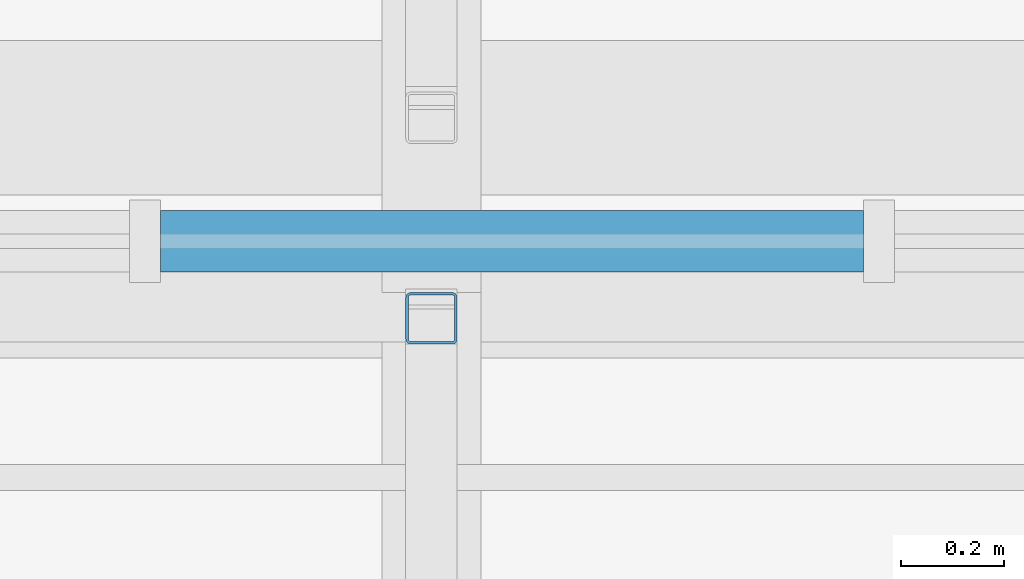
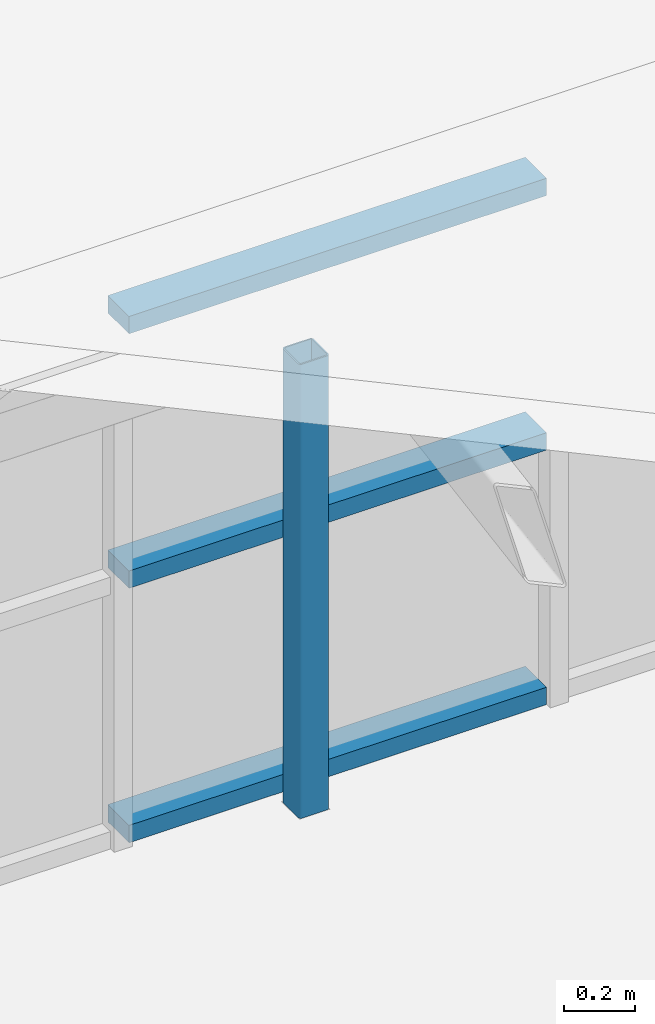
# One storey, part 10 of 33: 4 members, 1 element without a shape of its own.
"""IFC4 building model written with IfcOpenShell, lengths in metres."""

from ifc_helpers import new_model, si_unit, direction, frame, origin, origin_2d, place, context, subcontext, project, spatial, rectangle, hollow_rectangle, extrude, material, layer, layer_set, material_profile, profile_set, type_object, element, aggregate, save


model = new_model("IFC4")

# Units and contexts
model_context = context("Model", 3, precision=1e-05, world=origin(), true_north=direction((0.0, 1.0)))
body_context = subcontext(model_context, "Body", "Model", "MODEL_VIEW")
ifc_project = project(units=[si_unit("LENGTHUNIT", "METRE"), si_unit("AREAUNIT", "SQUARE_METRE"), si_unit("VOLUMEUNIT", "CUBIC_METRE"), si_unit("PLANEANGLEUNIT", "RADIAN"), si_unit("MASSUNIT", "GRAM", prefix="KILO")], contexts=[model_context])

# Site, building, storey
site_placement = place(None, origin())
site = spatial("IfcSite", under=ifc_project, at=site_placement, CompositionType="ELEMENT")
building_placement = place(site_placement, origin())
building = spatial("IfcBuilding", under=site, at=building_placement, Name="Ardhachandra Cancer Care Centre", CompositionType="ELEMENT")
storey_placement = place(building_placement, frame((0.0, 0.0, 27.0)))
storey = spatial("IfcBuildingStorey", under=building, at=storey_placement, Name="Roof", CompositionType="ELEMENT", Elevation=27.0)

# Curtain wall, members
ifc_material_1 = material(Name="Aluminium extrusion", Category="aluminium")
ifc_layer = layer(ifc_material_1, 0.14990234375)
ifc_layer_set = layer_set([ifc_layer], Name="Aluminium extrusion")
curtain_wall_type = type_object("IfcCurtainWallType", Name="Curtain wall run", PredefinedType="NOTDEFINED", material=ifc_layer_set)
curtain_wall_placement = place(storey_placement, origin())
curtain_wall = element("IfcCurtainWall", 1, at=curtain_wall_placement, inside=storey, type_object=curtain_wall_type, Name="Curtain wall Roof n/0112000_0096700", PredefinedType="NOTDEFINED")
ifc_material_2 = material(Name="Aluminium extrusion", Category="aluminium")
ifc_material_profile_1 = material_profile(ifc_material_2, rectangle(XDim=0.1201171875, YDim=0.06005859375, at=origin_2d()), Name="Curtain wall transom 60 x 120")
ifc_profile_set_1 = profile_set([ifc_material_profile_1], Name="Aluminium extrusion")
member_type_1 = type_object("IfcMemberType", Name="Curtain wall transom 60 x 120", PredefinedType="USERDEFINED", material=ifc_profile_set_1)
member_1_placement = place(storey_placement, frame((136.2734375, 96.699951171875, 0.030029296875), z_axis=(1.0, 0.0, 0.0), x_axis=(0.0, 1.0, 0.0)))
member_1 = element("IfcMember", 2, at=member_1_placement, type_object=member_type_1, Name="CW transom 18.1", ObjectType="TRANSOM", PredefinedType="USERDEFINED", context=body_context, shape_type="SweptSolid", body=[
    extrude(rectangle(XDim=0.1201171875, YDim=0.06005859375, at=origin_2d()), origin(), (0.0, 0.0, 1.0), 1.3662109375),
])
member_2_placement = place(storey_placement, frame((136.2734375, 96.699951171875, 0.909912109375), z_axis=(1.0, 0.0, 0.0), x_axis=(0.0, 1.0, 0.0)))
member_2 = element("IfcMember", 3, at=member_2_placement, type_object=member_type_1, Name="CW transom 18.2", ObjectType="TRANSOM", PredefinedType="USERDEFINED", context=body_context, shape_type="SweptSolid", body=[
    extrude(rectangle(XDim=0.1201171875, YDim=0.06005859375, at=origin_2d()), origin(), (0.0, 0.0, 1.0), 1.3662109375),
])
member_3_placement = place(storey_placement, frame((136.2734375, 96.699951171875, 1.7900390625), z_axis=(1.0, 0.0, 0.0), x_axis=(0.0, 1.0, 0.0)))
member_3 = element("IfcMember", 4, at=member_3_placement, type_object=member_type_1, Name="CW transom 18.3", ObjectType="TRANSOM", PredefinedType="USERDEFINED", context=body_context, shape_type="SweptSolid", body=[
    extrude(rectangle(XDim=0.1201171875, YDim=0.06005859375, at=origin_2d()), origin(), (0.0, 0.0, 1.0), 1.3662109375),
])
aggregate(curtain_wall, [member_1, member_2, member_3])

# Member
ifc_material_3 = material(Name="Steel E350 (IS 2062)", Category="steel")
ifc_material_profile_2 = material_profile(ifc_material_3, hollow_rectangle(XDim=0.10009765625, YDim=0.10009765625, WallThickness=0.0048828125, InnerFilletRadius=0.0048828125, OuterFilletRadius=0.010009765625, at=origin_2d()), Name="SHS 100x100x5.0")
ifc_profile_set_2 = profile_set([ifc_material_profile_2], Name="Steel E350 (IS 2062)")
member_type_2 = type_object("IfcMemberType", Name="Sawtooth ridge post SHS 100x100x5.0", PredefinedType="POST", material=ifc_profile_set_2)
member_4_placement = place(storey_placement, frame((136.800048828125, 96.550048828125, 0.0), z_axis=(0.0, 0.0, 1.0), x_axis=(1.0, 0.0, 0.0)))
element("IfcMember", 5, at=member_4_placement, inside=storey, type_object=member_type_2, Name="Ridge post ST2a.4", PredefinedType="POST", context=body_context, shape_type="SweptSolid", body=[
    extrude(hollow_rectangle(XDim=0.10009765625, YDim=0.10009765625, WallThickness=0.0048828125, InnerFilletRadius=0.0048828125, OuterFilletRadius=0.010009765625, at=origin_2d()), origin(), (0.0, 0.0, 1.0), 1.570068359375),
])

save(model, "model.ifc")
